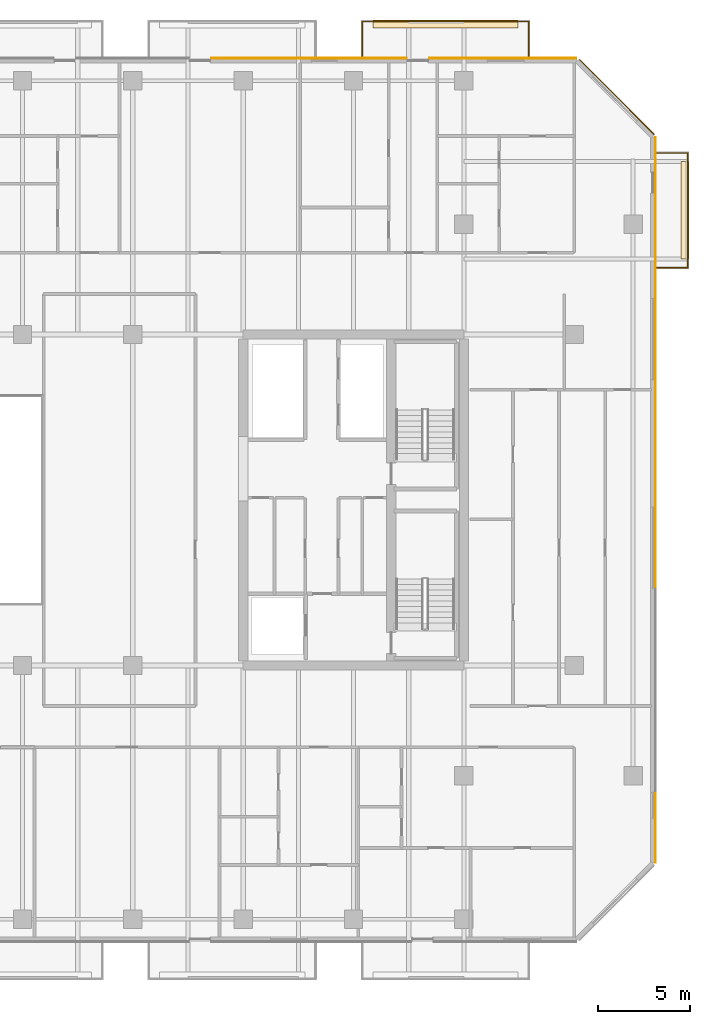
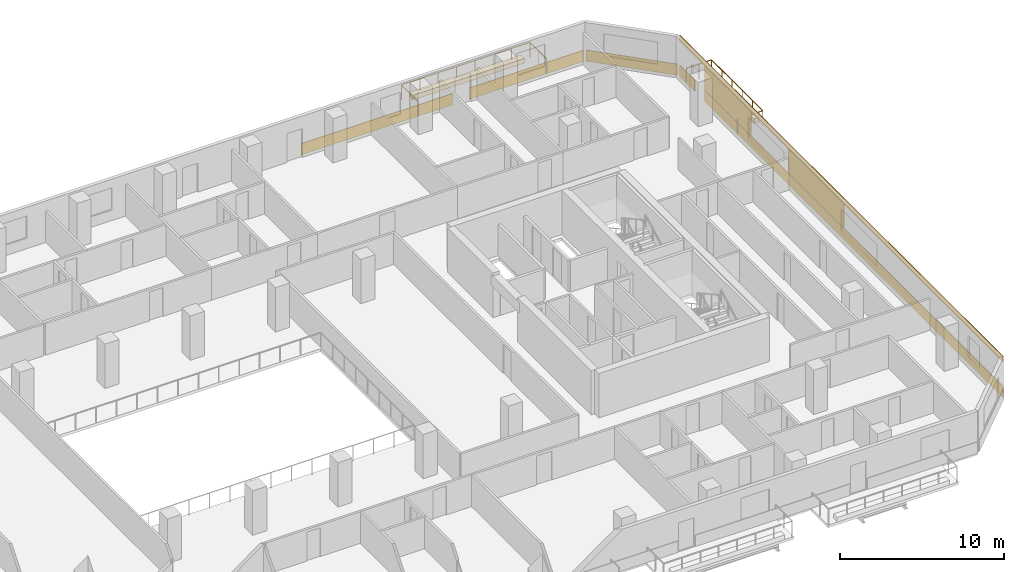
# One storey, part 23 of 23: 10 coverings, 2 railings.
"""IFC4 building model written with IfcOpenShell, lengths in metres."""

import ifcopenshell
import ifcopenshell.guid

model = None  # the IFC model being written
_history = None  # IfcOwnerHistory: only IFC2X3 demands one
_inside = {}  # id of a spatial element -> (the spatial element, [elements in it])
_under = {}  # id of a project, library or spatial element -> (it, [spatial elements below it])
_declared = {}  # id of a project -> (the project, [libraries it declares])
_typed = {}  # id of a type object -> (the type object, [elements of that type])
_made_of = {}  # id of a material, layer set ... -> (it, [elements and type objects made of it])


def new_model(schema):
    """Start an empty IFC model of exactly this schema.

    Asked for "IFC4X3", IfcOpenShell would pick the latest addendum, in which some entities
    have other attributes; the version numbers below select the first issue.
    IFC2X3 requires an IfcOwnerHistory on every rooted entity: one is made here for all.
    """
    global model, _history
    if schema == "IFC4X3":
        model = ifcopenshell.file(schema_version=(4, 3, 0, 0))
    else:
        model = ifcopenshell.file(schema=schema)
    _inside.clear()
    _under.clear()
    _declared.clear()
    _typed.clear()
    _made_of.clear()
    _history = None
    if model.schema == "IFC2X3":
        org = make("IfcOrganization", Name="unknown")
        user = make(
            "IfcPersonAndOrganization",
            ThePerson=make("IfcPerson", FamilyName="unknown"),
            TheOrganization=org,
        )
        app = make(
            "IfcApplication",
            ApplicationDeveloper=org,
            Version="unknown",
            ApplicationFullName="unknown",
            ApplicationIdentifier="unknown",
        )
        _history = make(
            "IfcOwnerHistory",
            OwningUser=user,
            OwningApplication=app,
            ChangeAction="ADDED",
            CreationDate=0,
        )
    return model


def make(cls, **values):
    """One entity of the class cls with the attributes given. An attribute that is None is left unset."""
    return model.create_entity(
        cls, **{name: value for name, value in values.items() if value is not None}
    )


def rooted(cls, **values):
    """An entity with a GlobalId (a new one), such as an element, a storey or a relation."""
    return make(cls, GlobalId=ifcopenshell.guid.new(), OwnerHistory=_history, **values)


def si_unit(unit_type, name, prefix=None):
    """IfcSIUnit, for example si_unit("LENGTHUNIT", "METRE", prefix="MILLI")."""
    return make("IfcSIUnit", UnitType=unit_type, Prefix=prefix, Name=name)


def assignment(units):
    """IfcUnitAssignment: the units of a project."""
    return None if units is None else make("IfcUnitAssignment", Units=units)


def point(xyz):
    """IfcCartesianPoint."""
    return None if xyz is None else make("IfcCartesianPoint", Coordinates=xyz)


def direction(xyz):
    """IfcDirection."""
    return None if xyz is None else make("IfcDirection", DirectionRatios=xyz)


def frame(location, z_axis=None, x_axis=None):
    """IfcAxis2Placement3D, a coordinate frame: its origin and axes. An axis left out is left unset."""
    return make(
        "IfcAxis2Placement3D",
        Location=point(location),
        Axis=direction(z_axis),
        RefDirection=direction(x_axis),
    )


def frame_2d(location, x_axis=None):
    """IfcAxis2Placement2D, a coordinate frame in the plane: its origin and x axis."""
    return make(
        "IfcAxis2Placement2D", Location=point(location), RefDirection=direction(x_axis)
    )


def origin():
    """The frame at (0, 0, 0) with its axes left unset."""
    return frame((0.0, 0.0, 0.0))


def origin_2d():
    """The frame at (0, 0) in the plane with its x axis left unset."""
    return frame_2d((0.0, 0.0))


def place(relative_to, where):
    """IfcLocalPlacement: puts the frame where relative to a parent placement (None: the world)."""
    return make(
        "IfcLocalPlacement", PlacementRelTo=relative_to, RelativePlacement=where
    )


def context(
    kind, dimensions, precision=None, world=None, true_north=None, identifier=None
):
    """IfcGeometricRepresentationContext, for example the 3D "Model" context."""
    return make(
        "IfcGeometricRepresentationContext",
        ContextIdentifier=identifier,
        ContextType=kind,
        CoordinateSpaceDimension=dimensions,
        Precision=precision,
        WorldCoordinateSystem=world,
        TrueNorth=true_north,
    )


def subcontext(parent, identifier, kind, view, scale=None):
    """IfcGeometricRepresentationSubContext, for example "Body" below "Model"."""
    return make(
        "IfcGeometricRepresentationSubContext",
        ContextIdentifier=identifier,
        ContextType=kind,
        ParentContext=parent,
        TargetScale=scale,
        TargetView=view,
    )


def project(units=None, contexts=None):
    """IfcProject with its units and contexts."""
    return rooted(
        "IfcProject",
        Name="project",
        RepresentationContexts=contexts,
        UnitsInContext=assignment(units),
    )


def spatial(cls, under=None, at=None, **own):
    """A site, building, storey or space (cls), placed at a placement, below another one or the project."""
    s = rooted(cls, ObjectPlacement=at, **own)
    if under is not None:
        _under.setdefault(under.id(), (under, []))[1].append(s)
    return s


def polyline(points):
    """IfcPolyline through the points."""
    return make("IfcPolyline", Points=[point(p) for p in points])


def profile(cls, at=None, kind="AREA", **sizes):
    """A parametric profile (cls). Its sizes go by their IFC names, for example OverallWidth=200.0."""
    return make(cls, ProfileType=kind, Position=at, **sizes)


def rectangle(**sizes):
    """IfcRectangleProfileDef."""
    return profile("IfcRectangleProfileDef", **sizes)


def outline(outer, holes=None, kind="AREA"):
    """IfcArbitraryClosedProfileDef: a profile drawn as a closed curve; with holes, ...WithVoids."""
    if holes is None:
        return make("IfcArbitraryClosedProfileDef", ProfileType=kind, OuterCurve=outer)
    return make(
        "IfcArbitraryProfileDefWithVoids",
        ProfileType=kind,
        OuterCurve=outer,
        InnerCurves=holes,
    )


def extrude(swept, where, along, depth):
    """IfcExtrudedAreaSolid: the profile swept, set in the frame where, extruded along a direction by depth."""
    return make(
        "IfcExtrudedAreaSolid",
        SweptArea=swept,
        Position=where,
        ExtrudedDirection=direction(along),
        Depth=depth,
    )


def shape(context_of_items, identifier, shape_type, items):
    """IfcShapeRepresentation: the items that make up one representation, for example the "Body"."""
    return make(
        "IfcShapeRepresentation",
        ContextOfItems=context_of_items,
        RepresentationIdentifier=identifier,
        RepresentationType=shape_type,
        Items=items,
    )


def material(Name=None, Category=None):
    """IfcMaterial."""
    return make("IfcMaterial", Name=Name, Category=Category)


def layer(
    of_material, thickness, ventilated=None, Name=None, Category=None, Priority=None
):
    """IfcMaterialLayer: one layer of a wall or slab, of a material (None: an air gap)."""
    return make(
        "IfcMaterialLayer",
        Material=of_material,
        LayerThickness=thickness,
        IsVentilated=ventilated,
        Name=Name,
        Category=Category,
        Priority=Priority,
    )


def layer_set(layers, Name=None):
    """IfcMaterialLayerSet."""
    return make("IfcMaterialLayerSet", MaterialLayers=layers, LayerSetName=Name)


def made_of(thing, what):
    """Note that an element or type object is made of a material, layer set ...; save() writes the relation."""
    if what is not None:
        _made_of.setdefault(what.id(), (what, []))[1].append(thing)
    return thing


def type_object(cls, material=None, **own):
    """A type object (cls), such as IfcWallType, which elements share."""
    return made_of(rooted(cls, **own), material)


def element(
    cls,
    number,
    at=None,
    inside=None,
    cuts=None,
    type_object=None,
    material=None,
    context=None,
    identifier="Body",
    shape_type=None,
    held_by="IfcProductDefinitionShape",
    body=None,
    shapes=None,
    **own,
):
    """One element of the class cls, such as IfcWall. Its Tag is "e" and its number.

    at: its placement. inside: the storey or other place that contains it. cuts: it is an
    opening in that element (IfcRelVoidsElement). A single representation is given by context,
    identifier, shape_type and body (its items); several are given by shapes. held_by: the class
    of the entity that holds the representations. save() writes the other relations.
    """
    e = rooted(cls, Tag="e%d" % number, ObjectPlacement=at, **own)
    if body is not None:
        shapes = [shape(context, identifier, shape_type, body)]
    if shapes is not None:
        e.Representation = make(held_by, Representations=shapes)
    if inside is not None:
        _inside.setdefault(inside.id(), (inside, []))[1].append(e)
    if cuts is not None:
        rooted(
            "IfcRelVoidsElement", RelatingBuildingElement=cuts, RelatedOpeningElement=e
        )
    if type_object is not None:
        _typed.setdefault(type_object.id(), (type_object, []))[1].append(e)
    return made_of(e, material)


def aggregate(whole, parts):
    """IfcRelAggregates: a whole, such as a stair, and the parts it consists of."""
    return rooted("IfcRelAggregates", RelatingObject=whole, RelatedObjects=parts)


def save(model, path):
    """Write the relations noted so far, then the file.

    IfcRelAggregates (storeys below a building ...), IfcRelContainedInSpatialStructure (elements
    in a storey), IfcRelDefinesByType, IfcRelAssociatesMaterial and IfcRelDeclares: one each for
    every whole, place, type object, material and project.
    """
    for whole, parts in _under.values():
        aggregate(whole, parts)
    for where, things in _inside.values():
        rooted(
            "IfcRelContainedInSpatialStructure",
            RelatedElements=things,
            RelatingStructure=where,
        )
    for kind, things in _typed.values():
        rooted("IfcRelDefinesByType", RelatedObjects=things, RelatingType=kind)
    for what, things in _made_of.values():
        rooted("IfcRelAssociatesMaterial", RelatedObjects=things, RelatingMaterial=what)
    for by, libraries in _declared.values():
        rooted("IfcRelDeclares", RelatingContext=by, RelatedDefinitions=libraries)
    model.write(path)


model = new_model("IFC4")

# Units and contexts
model_context = context("Model", 3, precision=1e-05, world=origin(), true_north=direction((0.0, 1.0)))
body_context = subcontext(model_context, "Body", "Model", "MODEL_VIEW")
ifc_project = project(units=[si_unit("LENGTHUNIT", "METRE"), si_unit("AREAUNIT", "SQUARE_METRE"), si_unit("VOLUMEUNIT", "CUBIC_METRE"), si_unit("PLANEANGLEUNIT", "RADIAN"), si_unit("MASSUNIT", "GRAM", prefix="KILO")], contexts=[model_context])

# Site, building, storey
site_placement = place(None, origin())
site = spatial("IfcSite", under=ifc_project, at=site_placement, CompositionType="ELEMENT")
building_placement = place(site_placement, origin())
building = spatial("IfcBuilding", under=site, at=building_placement, Name="Tanjung Sevakor Pilgrim Tower", CompositionType="ELEMENT")
storey_placement = place(building_placement, frame((0.0, 0.0, 88.77001953125)))
storey = spatial("IfcBuildingStorey", under=building, at=storey_placement, Name="L24", CompositionType="ELEMENT", Elevation=88.77001953125)

# Coverings
ifc_material_1 = material(Name="Reconstructed Limestone Cladding", Category="masonry")
ifc_layer_1 = layer(ifc_material_1, 0.044921875)
ifc_layer_set_1 = layer_set([ifc_layer_1], Name="COV-CLAD-LIMESTONE")
covering_type_1 = type_object("IfcCoveringType", Name="COV-CLAD-LIMESTONE", PredefinedType="CLADDING", material=ifc_layer_set_1)
covering_1_placement = place(storey_placement, frame((100.422607421875, 32.06591796875, 0.009765625), z_axis=(0.0, 0.0, 1.0), x_axis=(0.0, 1.0, 0.0)))
element("IfcCovering", 1, at=covering_1_placement, inside=storey, type_object=covering_type_1, Name="L24 Warm Limestone Sill Spandrel EW-L24-MAIN-7-1", PredefinedType="CLADDING", context=body_context, shape_type="SweptSolid", body=[
    extrude(rectangle(XDim=36.34814453125, YDim=0.044921875, at=origin_2d()), origin(), (0.0, 0.0, 1.0), 0.840087890625),
])
covering_2_placement = place(storey_placement, frame((100.422607421875, 52.384033203125, 0.009765625), z_axis=(0.0, 0.0, 1.0), x_axis=(0.0, 1.0, 0.0)))
element("IfcCovering", 2, at=covering_2_placement, inside=storey, type_object=covering_type_1, Name="L24 Warm Limestone Sill Spandrel EW-L24-MAIN-7-2", PredefinedType="CLADDING", context=body_context, shape_type="SweptSolid", body=[
    extrude(rectangle(XDim=1.84814453125, YDim=0.044921875, at=origin_2d()), origin(), (0.0, 0.0, 1.0), 0.840087890625),
])
covering_3_placement = place(storey_placement, frame((100.422607421875, 33.60009765625, 2.66015625), z_axis=(0.0, 0.0, 1.0), x_axis=(0.0, 1.0, 0.0)))
element("IfcCovering", 3, at=covering_3_placement, inside=storey, type_object=covering_type_1, Name="L24 Warm Limestone Cornice Spandrel EW-L24-MAIN-7", PredefinedType="CLADDING", context=body_context, shape_type="SweptSolid", body=[
    extrude(rectangle(XDim=39.456298828125, YDim=0.044921875, at=origin_2d()), origin(), (0.0, 0.0, 1.0), 0.409912109375),
])
covering_4_placement = place(storey_placement, frame((100.422607421875, 36.679931640625, 0.849853515625), z_axis=(0.0, 0.0, 1.0), x_axis=(0.0, 1.0, 0.0)))
element("IfcCovering", 4, at=covering_4_placement, inside=storey, type_object=covering_type_1, Name="L24 Warm Limestone Pier Panel EW-L24-MAIN-7-2", PredefinedType="CLADDING", context=body_context, shape_type="SweptSolid", body=[
    extrude(rectangle(XDim=6.840087890625, YDim=0.044921875, at=origin_2d()), origin(), (0.0, 0.0, 1.0), 1.81005859375),
])
covering_5_placement = place(storey_placement, frame((100.422607421875, 47.425048828125, 0.849853515625), z_axis=(0.0, 0.0, 1.0), x_axis=(0.0, 1.0, 0.0)))
element("IfcCovering", 5, at=covering_5_placement, inside=storey, type_object=covering_type_1, Name="L24 Warm Limestone Pier Panel EW-L24-MAIN-7-3", PredefinedType="CLADDING", context=body_context, shape_type="SweptSolid", body=[
    extrude(rectangle(XDim=5.64990234375, YDim=0.044921875, at=origin_2d()), origin(), (0.0, 0.0, 1.0), 1.81005859375),
])
covering_6_placement = place(storey_placement, frame((98.31591796875, 55.515869140625, 0.009765625), z_axis=(0.0, 0.0, 1.0), x_axis=(-0.707106781187, 0.707106781187, 0.0)))
element("IfcCovering", 6, at=covering_6_placement, inside=storey, type_object=covering_type_1, Name="L24 Warm Limestone Sill Spandrel EW-CHM-L24-MAIN-7-1", PredefinedType="CLADDING", context=body_context, shape_type="SweptSolid", body=[
    extrude(rectangle(XDim=5.756103515625, YDim=0.044921875, at=origin_2d()), origin(), (0.0, 0.0, 1.0), 0.840087890625),
])
covering_7_placement = place(storey_placement, frame((92.109130859375, 57.62255859375, 0.009765625), z_axis=(0.0, 0.0, 1.0), x_axis=(-1.0, 0.0, 0.0)))
element("IfcCovering", 7, at=covering_7_placement, inside=storey, type_object=covering_type_1, Name="L24 Warm Limestone Sill Spandrel EW-L24-MAIN-9-1", PredefinedType="CLADDING", context=body_context, shape_type="SweptSolid", body=[
    extrude(rectangle(XDim=7.998291015625, YDim=0.044921875, at=origin_2d()), origin(), (0.0, 0.0, 1.0), 0.840087890625),
])
covering_8_placement = place(storey_placement, frame((81.574951171875, 57.62255859375, 0.009765625), z_axis=(0.0, 0.0, 1.0), x_axis=(-1.0, 0.0, 0.0)))
element("IfcCovering", 8, at=covering_8_placement, inside=storey, type_object=covering_type_1, Name="L24 Warm Limestone Sill Spandrel EW-L24-MAIN-9-2", PredefinedType="CLADDING", context=body_context, shape_type="SweptSolid", body=[
    extrude(rectangle(XDim=10.6298828125, YDim=0.044921875, at=origin_2d()), origin(), (0.0, 0.0, 1.0), 0.840087890625),
])
ifc_material_2 = material(Name="Vegetated Modular Planter Assembly", Category="organic")
ifc_layer_2 = layer(ifc_material_2, 0.35009765625)
ifc_layer_set_2 = layer_set([ifc_layer_2], Name="COV-GRN-TROUGH")
covering_type_2 = type_object("IfcCoveringType", Name="COV-GRN-TROUGH", PredefinedType="CLADDING", material=ifc_layer_set_2)
covering_9_placement = place(storey_placement, origin())
element("IfcCovering", 9, at=covering_9_placement, inside=storey, type_object=covering_type_2, Name="L24 Planted Landscape Hedge Trough BGRN-L24-MAIN-N4", PredefinedType="CLADDING", context=body_context, shape_type="SweptSolid", body=[
    extrude(outline(polyline([(85.050048828125, 59.260009765625), (92.949951171875, 59.260009765625), (92.949951171875, 59.699951171875), (85.050048828125, 59.699951171875), (85.050048828125, 59.260009765625)])), origin(), (0.0, 0.0, 1.0), 0.35009765625),
])
covering_10_placement = place(storey_placement, origin())
element("IfcCovering", 10, at=covering_10_placement, inside=storey, type_object=covering_type_2, Name="L24 Planted Landscape Hedge Trough BGRN-L24-MAIN-E1", PredefinedType="CLADDING", context=body_context, shape_type="SweptSolid", body=[
    extrude(outline(polyline([(102.25, 46.699951171875), (102.25, 52.0), (101.81005859375, 52.0), (101.81005859375, 46.699951171875), (102.25, 46.699951171875)])), origin(), (0.0, 0.0, 1.0), 0.35009765625),
])

# Railings
ifc_material_3 = material(Name="Laminated Glass and Aluminium", Category="aluminium")
railing_type = type_object("IfcRailingType", Name="RL-BAL-BALUST", PredefinedType="BALUSTRADE", material=ifc_material_3)
railing_1_placement = place(storey_placement, frame((84.47998046875, 57.60009765625, 0.0)))
element("IfcRailing", 11, at=railing_1_placement, inside=storey, type_object=railing_type, Name="L24 Loggia Balustrade MAIN-N4", PredefinedType="BALUSTRADE", context=body_context, shape_type="SweptSolid", body=[
    extrude(rectangle(XDim=0.0479, YDim=0.0479), frame((0.0, 0.0, 1.1259765625), z_axis=(0.0, 1.0, 0.0), x_axis=(-1.0, 0.0, 0.0)), (0.0, 0.0, 1.0), 2.02001953125),
    extrude(rectangle(XDim=0.0479, YDim=0.0479), frame((0.0, 2.02001953125, 1.1259765625), z_axis=(1.0, 0.0, 0.0), x_axis=(0.0, 1.0, 0.0)), (0.0, 0.0, 1.0), 9.0400390625),
    extrude(rectangle(XDim=0.0479, YDim=0.0479), frame((9.0400390625, 2.02001953125, 1.1259765625), z_axis=(0.0, -1.0, 0.0), x_axis=(1.0, 0.0, 0.0)), (0.0, 0.0, 1.0), 2.02001953125),
    extrude(rectangle(XDim=0.042, YDim=0.042), origin(), (0.0, 0.0, 1.0), 1.101806640625),
    extrude(rectangle(XDim=0.042, YDim=0.042), frame((0.0, 1.010009765625, 0.0)), (0.0, 0.0, 1.0), 1.101806640625),
    extrude(rectangle(XDim=0.042, YDim=0.042), frame((0.0, 2.02001953125, 0.0)), (0.0, 0.0, 1.0), 1.101806640625),
    extrude(rectangle(XDim=0.042, YDim=0.042), frame((1.29150390625, 2.02001953125, 0.0)), (0.0, 0.0, 1.0), 1.101806640625),
    extrude(rectangle(XDim=0.042, YDim=0.042), frame((2.582763671875, 2.02001953125, 0.0)), (0.0, 0.0, 1.0), 1.101806640625),
    extrude(rectangle(XDim=0.042, YDim=0.042), frame((3.874267578125, 2.02001953125, 0.0)), (0.0, 0.0, 1.0), 1.101806640625),
    extrude(rectangle(XDim=0.042, YDim=0.042), frame((5.165771484375, 2.02001953125, 0.0)), (0.0, 0.0, 1.0), 1.101806640625),
    extrude(rectangle(XDim=0.042, YDim=0.042), frame((6.457275390625, 2.02001953125, 0.0)), (0.0, 0.0, 1.0), 1.101806640625),
    extrude(rectangle(XDim=0.042, YDim=0.042), frame((7.74853515625, 2.02001953125, 0.0)), (0.0, 0.0, 1.0), 1.101806640625),
    extrude(rectangle(XDim=0.042, YDim=0.042), frame((9.0400390625, 2.02001953125, 0.0)), (0.0, 0.0, 1.0), 1.101806640625),
    extrude(rectangle(XDim=0.042, YDim=0.042), frame((9.0400390625, 1.010009765625, 0.0)), (0.0, 0.0, 1.0), 1.101806640625),
    extrude(rectangle(XDim=0.042, YDim=0.042), frame((9.0400390625, 0.0, 0.0)), (0.0, 0.0, 1.0), 1.101806640625),
])
railing_2_placement = place(storey_placement, frame((100.39990234375, 46.22998046875, 0.0)))
element("IfcRailing", 12, at=railing_2_placement, inside=storey, type_object=railing_type, Name="L24 Loggia Balustrade MAIN-E1", PredefinedType="BALUSTRADE", context=body_context, shape_type="SweptSolid", body=[
    extrude(rectangle(XDim=0.0479, YDim=0.0479), frame((0.0, 0.0, 1.1259765625), z_axis=(1.0, 0.0, 0.0), x_axis=(0.0, 1.0, 0.0)), (0.0, 0.0, 1.0), 1.77001953125),
    extrude(rectangle(XDim=0.0479, YDim=0.0479), frame((1.77001953125, 0.0, 1.1259765625), z_axis=(0.0, 1.0, 0.0), x_axis=(-1.0, 0.0, 0.0)), (0.0, 0.0, 1.0), 6.239990234375),
    extrude(rectangle(XDim=0.0479, YDim=0.0479), frame((1.77001953125, 6.239990234375, 1.1259765625), z_axis=(-1.0, 0.0, 0.0), x_axis=(0.0, -1.0, 0.0)), (0.0, 0.0, 1.0), 1.77001953125),
    extrude(rectangle(XDim=0.042, YDim=0.042), origin(), (0.0, 0.0, 1.0), 1.101806640625),
    extrude(rectangle(XDim=0.042, YDim=0.042), frame((0.885009765625, 0.0, 0.0)), (0.0, 0.0, 1.0), 1.101806640625),
    extrude(rectangle(XDim=0.042, YDim=0.042), frame((1.77001953125, 0.0, 0.0)), (0.0, 0.0, 1.0), 1.101806640625),
    extrude(rectangle(XDim=0.042, YDim=0.042), frame((1.77001953125, 1.248046875, 0.0)), (0.0, 0.0, 1.0), 1.101806640625),
    extrude(rectangle(XDim=0.042, YDim=0.042), frame((1.77001953125, 2.49609375, 0.0)), (0.0, 0.0, 1.0), 1.101806640625),
    extrude(rectangle(XDim=0.042, YDim=0.042), frame((1.77001953125, 3.743896484375, 0.0)), (0.0, 0.0, 1.0), 1.101806640625),
    extrude(rectangle(XDim=0.042, YDim=0.042), frame((1.77001953125, 4.991943359375, 0.0)), (0.0, 0.0, 1.0), 1.101806640625),
    extrude(rectangle(XDim=0.042, YDim=0.042), frame((1.77001953125, 6.239990234375, 0.0)), (0.0, 0.0, 1.0), 1.101806640625),
    extrude(rectangle(XDim=0.042, YDim=0.042), frame((0.885009765625, 6.239990234375, 0.0)), (0.0, 0.0, 1.0), 1.101806640625),
    extrude(rectangle(XDim=0.042, YDim=0.042), frame((0.0, 6.239990234375, 0.0)), (0.0, 0.0, 1.0), 1.101806640625),
])

save(model, "model.ifc")
